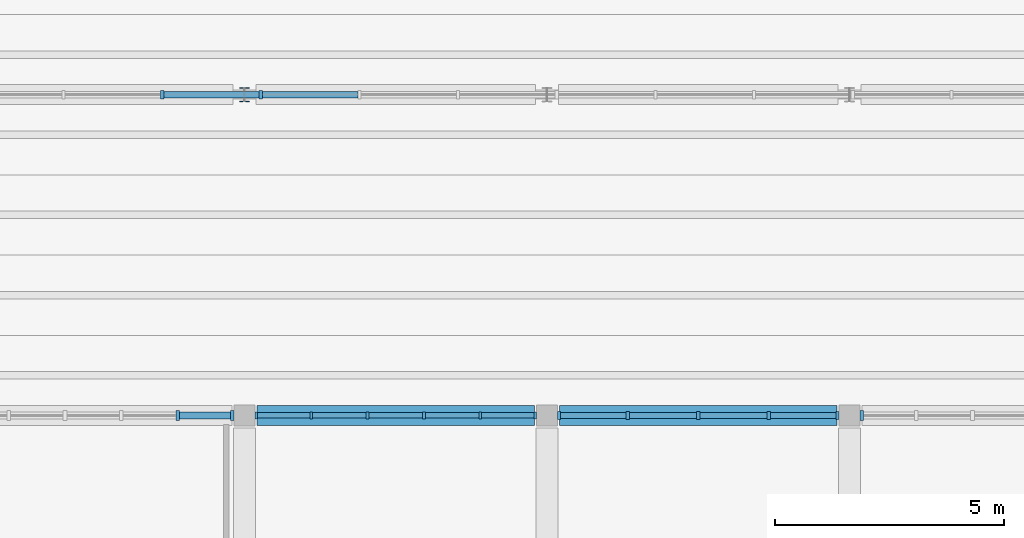
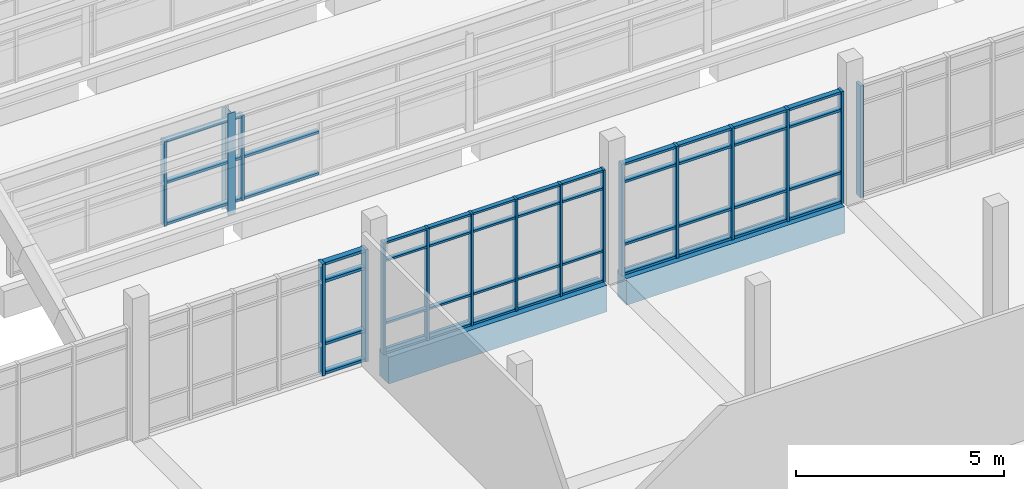
# One storey, part 13 of 92: 62 members, 2 beams, 5 elements without a shape of their own.
"""IFC4 building model written with IfcOpenShell, lengths in metres."""

from ifc_helpers import new_model, si_unit, direction, frame, origin, origin_2d, place, context, subcontext, project, spatial, rectangle, i_section, extrude, material, material_profile, profile_set, type_object, element, aggregate, save


model = new_model("IFC4")

# Units and contexts
model_context = context("Model", 3, precision=1e-05, world=origin(), true_north=direction((0.0, 1.0)))
body_context = subcontext(model_context, "Body", "Model", "MODEL_VIEW")
ifc_project = project(units=[si_unit("LENGTHUNIT", "METRE"), si_unit("AREAUNIT", "SQUARE_METRE"), si_unit("VOLUMEUNIT", "CUBIC_METRE"), si_unit("PLANEANGLEUNIT", "RADIAN"), si_unit("MASSUNIT", "GRAM", prefix="KILO")], contexts=[model_context])

# Site, building, storey
site_placement = place(None, origin())
site = spatial("IfcSite", under=ifc_project, at=site_placement, CompositionType="ELEMENT")
building_placement = place(site_placement, origin())
building = spatial("IfcBuilding", under=site, at=building_placement, Name="Ciguamira Faculty of Natural Sciences", CompositionType="ELEMENT")
storey_placement = place(building_placement, frame((0.0, 0.0, 16.800048828125)))
storey = spatial("IfcBuildingStorey", under=building, at=storey_placement, Name="L04", CompositionType="ELEMENT", Elevation=16.800048828125)

# Curtain wall, members
ifc_material_1 = material(Name="Anodized aluminium curtain wall", Category="aluminium")
curtain_wall_type_1 = type_object("IfcCurtainWallType", Name="CurtainWall_CW-07", PredefinedType="USERDEFINED", material=ifc_material_1)
curtain_wall_1_placement = place(storey_placement, origin())
curtain_wall_1 = element("IfcCurtainWall", 1, at=curtain_wall_1_placement, inside=storey, type_object=curtain_wall_type_1, Name="L04 unitised curtain wall 0115", ObjectType="UNITISED CURTAIN WALL", PredefinedType="USERDEFINED")
ifc_material_2 = material(Name="Anodized aluminium mullion", Category="aluminium")
ifc_material_profile_1 = material_profile(ifc_material_2, rectangle(XDim=0.06005859375, YDim=0.159912109375, at=origin_2d()), Name="ALU-MUL-60X160")
ifc_profile_set_1 = profile_set([ifc_material_profile_1], Name="Anodized aluminium mullion")
member_type_1 = type_object("IfcMemberType", Name="CWMullion_CWM-01", PredefinedType="MULLION", material=ifc_profile_set_1)
member_1_placement = place(storey_placement, frame((70.7548828125, 38.0, 0.0), z_axis=(0.0, 0.0, 1.0), x_axis=(1.0, 0.0, 0.0)))
member_1 = element("IfcMember", 2, at=member_1_placement, type_object=member_type_1, Name="CW-07 mullion 1", PredefinedType="MULLION", context=body_context, shape_type="SweptSolid", body=[
    extrude(rectangle(XDim=0.06005859375, YDim=0.159912109375, at=origin_2d()), origin(), (0.0, 0.0, 1.0), 3.284912109375),
])
member_2_placement = place(storey_placement, frame((71.955078125, 38.0, 0.0), z_axis=(0.0, 0.0, 1.0), x_axis=(1.0, 0.0, 0.0)))
member_2 = element("IfcMember", 3, at=member_2_placement, type_object=member_type_1, Name="CW-07 mullion 2", PredefinedType="MULLION", context=body_context, shape_type="SweptSolid", body=[
    extrude(rectangle(XDim=0.06005859375, YDim=0.159912109375, at=origin_2d()), origin(), (0.0, 0.0, 1.0), 3.284912109375),
])
member_3_placement = place(storey_placement, frame((73.18505859375, 38.0, 0.0), z_axis=(0.0, 0.0, 1.0), x_axis=(1.0, 0.0, 0.0)))
member_3 = element("IfcMember", 4, at=member_3_placement, type_object=member_type_1, Name="CW-07 mullion 3", PredefinedType="MULLION", context=body_context, shape_type="SweptSolid", body=[
    extrude(rectangle(XDim=0.06005859375, YDim=0.159912109375, at=origin_2d()), origin(), (0.0, 0.0, 1.0), 3.284912109375),
])
member_4_placement = place(storey_placement, frame((74.4150390625, 38.0, 0.0), z_axis=(0.0, 0.0, 1.0), x_axis=(1.0, 0.0, 0.0)))
member_4 = element("IfcMember", 5, at=member_4_placement, type_object=member_type_1, Name="CW-07 mullion 4", PredefinedType="MULLION", context=body_context, shape_type="SweptSolid", body=[
    extrude(rectangle(XDim=0.06005859375, YDim=0.159912109375, at=origin_2d()), origin(), (0.0, 0.0, 1.0), 3.284912109375),
])
member_5_placement = place(storey_placement, frame((75.64501953125, 38.0, 0.0), z_axis=(0.0, 0.0, 1.0), x_axis=(1.0, 0.0, 0.0)))
member_5 = element("IfcMember", 6, at=member_5_placement, type_object=member_type_1, Name="CW-07 mullion 5", PredefinedType="MULLION", context=body_context, shape_type="SweptSolid", body=[
    extrude(rectangle(XDim=0.06005859375, YDim=0.159912109375, at=origin_2d()), origin(), (0.0, 0.0, 1.0), 3.284912109375),
])
member_6_placement = place(storey_placement, frame((76.844970703125, 38.0, 0.0), z_axis=(0.0, 0.0, 1.0), x_axis=(1.0, 0.0, 0.0)))
member_6 = element("IfcMember", 7, at=member_6_placement, type_object=member_type_1, Name="CW-07 mullion 6", PredefinedType="MULLION", context=body_context, shape_type="SweptSolid", body=[
    extrude(rectangle(XDim=0.06005859375, YDim=0.159912109375, at=origin_2d()), origin(), (0.0, 0.0, 1.0), 3.284912109375),
])

curtain_wall_type_2 = type_object("IfcCurtainWallType", Name="CurtainWall_CW-08", PredefinedType="USERDEFINED", material=ifc_material_1)
curtain_wall_2_placement = place(storey_placement, origin())
curtain_wall_2 = element("IfcCurtainWall", 8, at=curtain_wall_2_placement, inside=storey, type_object=curtain_wall_type_2, Name="L04 unitised curtain wall 0116", ObjectType="UNITISED CURTAIN WALL", PredefinedType="USERDEFINED")
ifc_material_profile_2 = material_profile(ifc_material_2, rectangle(XDim=0.070068359375, YDim=0.179931640625, at=origin_2d()), Name="ALU-MUL-70X180")
ifc_profile_set_2 = profile_set([ifc_material_profile_2], Name="Anodized aluminium mullion")
member_type_2 = type_object("IfcMemberType", Name="CWMullion_CWM-02", PredefinedType="MULLION", material=ifc_profile_set_2)
member_7_placement = place(storey_placement, frame((77.360107421875, 38.0, 0.0), z_axis=(0.0, 0.0, 1.0), x_axis=(1.0, 0.0, 0.0)))
member_7 = element("IfcMember", 9, at=member_7_placement, type_object=member_type_2, Name="CW-08 mullion 1", PredefinedType="MULLION", context=body_context, shape_type="SweptSolid", body=[
    extrude(rectangle(XDim=0.070068359375, YDim=0.179931640625, at=origin_2d()), origin(), (0.0, 0.0, 1.0), 3.284912109375),
])
member_8_placement = place(storey_placement, frame((78.862548828125, 38.0, 0.0), z_axis=(0.0, 0.0, 1.0), x_axis=(1.0, 0.0, 0.0)))
member_8 = element("IfcMember", 10, at=member_8_placement, type_object=member_type_2, Name="CW-08 mullion 2", PredefinedType="MULLION", context=body_context, shape_type="SweptSolid", body=[
    extrude(rectangle(XDim=0.070068359375, YDim=0.179931640625, at=origin_2d()), origin(), (0.0, 0.0, 1.0), 3.284912109375),
])
member_9_placement = place(storey_placement, frame((80.39990234375, 38.0, 0.0), z_axis=(0.0, 0.0, 1.0), x_axis=(1.0, 0.0, 0.0)))
member_9 = element("IfcMember", 11, at=member_9_placement, type_object=member_type_2, Name="CW-08 mullion 3", PredefinedType="MULLION", context=body_context, shape_type="SweptSolid", body=[
    extrude(rectangle(XDim=0.070068359375, YDim=0.179931640625, at=origin_2d()), origin(), (0.0, 0.0, 1.0), 3.284912109375),
])
member_10_placement = place(storey_placement, frame((81.9375, 38.0, 0.0), z_axis=(0.0, 0.0, 1.0), x_axis=(1.0, 0.0, 0.0)))
member_10 = element("IfcMember", 12, at=member_10_placement, type_object=member_type_2, Name="CW-08 mullion 4", PredefinedType="MULLION", context=body_context, shape_type="SweptSolid", body=[
    extrude(rectangle(XDim=0.070068359375, YDim=0.179931640625, at=origin_2d()), origin(), (0.0, 0.0, 1.0), 3.284912109375),
])
member_11_placement = place(storey_placement, frame((83.43994140625, 38.0, 0.0), z_axis=(0.0, 0.0, 1.0), x_axis=(1.0, 0.0, 0.0)))
member_11 = element("IfcMember", 13, at=member_11_placement, type_object=member_type_2, Name="CW-08 mullion 5", PredefinedType="MULLION", context=body_context, shape_type="SweptSolid", body=[
    extrude(rectangle(XDim=0.070068359375, YDim=0.179931640625, at=origin_2d()), origin(), (0.0, 0.0, 1.0), 3.284912109375),
])

curtain_wall_type_3 = type_object("IfcCurtainWallType", Name="CurtainWall_CW-02", PredefinedType="USERDEFINED", material=ifc_material_1)
curtain_wall_3_placement = place(storey_placement, origin())
curtain_wall_3 = element("IfcCurtainWall", 14, at=curtain_wall_3_placement, inside=storey, type_object=curtain_wall_type_3, Name="V4 north-light wave 1 clerestory glazing 1", ObjectType="UNITISED CURTAIN WALL", PredefinedType="USERDEFINED")
member_12_placement = place(storey_placement, frame((68.704833984375, 45.0, 0.25), z_axis=(0.0, 0.0, 1.0), x_axis=(1.0, 0.0, 0.0)))
member_12 = element("IfcMember", 15, at=member_12_placement, type_object=member_type_2, Name="CW-02 mullion 3", PredefinedType="MULLION", context=body_context, shape_type="SweptSolid", body=[
    extrude(rectangle(XDim=0.070068359375, YDim=0.179931640625, at=origin_2d()), origin(), (0.0, 0.0, 1.0), 2.5),
])
member_13_placement = place(storey_placement, frame((70.857177734375, 45.0, 0.25), z_axis=(0.0, 0.0, 1.0), x_axis=(1.0, 0.0, 0.0)))
member_13 = element("IfcMember", 16, at=member_13_placement, type_object=member_type_2, Name="CW-02 mullion 4", PredefinedType="MULLION", context=body_context, shape_type="SweptSolid", body=[
    extrude(rectangle(XDim=0.070068359375, YDim=0.179931640625, at=origin_2d()), origin(), (0.0, 0.0, 1.0), 2.5),
])

curtain_wall_type_4 = type_object("IfcCurtainWallType", Name="CurtainWall_CW-06", PredefinedType="USERDEFINED", material=ifc_material_1)
curtain_wall_4_placement = place(storey_placement, origin())
curtain_wall_4 = element("IfcCurtainWall", 17, at=curtain_wall_4_placement, inside=storey, type_object=curtain_wall_type_4, Name="L04 unitised curtain wall 0114", ObjectType="UNITISED CURTAIN WALL", PredefinedType="USERDEFINED")
ifc_material_profile_3 = material_profile(ifc_material_2, rectangle(XDim=0.080078125, YDim=0.219970703125, at=origin_2d()), Name="ALU-MUL-80X220")
ifc_profile_set_3 = profile_set([ifc_material_profile_3], Name="Anodized aluminium mullion")
member_type_3 = type_object("IfcMemberType", Name="CWMullion_CWM-03", PredefinedType="MULLION", material=ifc_profile_set_3)
member_14_placement = place(storey_placement, frame((69.044921875, 38.0, 0.0), z_axis=(0.0, 0.0, 1.0), x_axis=(1.0, 0.0, 0.0)))
member_14 = element("IfcMember", 18, at=member_14_placement, type_object=member_type_3, Name="CW-06 mullion 5", PredefinedType="MULLION", context=body_context, shape_type="SweptSolid", body=[
    extrude(rectangle(XDim=0.080078125, YDim=0.219970703125, at=origin_2d()), origin(), (0.0, 0.0, 1.0), 3.284912109375),
])
member_15_placement = place(storey_placement, frame((70.235107421875, 38.0, 0.0), z_axis=(0.0, 0.0, 1.0), x_axis=(1.0, 0.0, 0.0)))
member_15 = element("IfcMember", 19, at=member_15_placement, type_object=member_type_3, Name="CW-06 mullion 6", PredefinedType="MULLION", context=body_context, shape_type="SweptSolid", body=[
    extrude(rectangle(XDim=0.080078125, YDim=0.219970703125, at=origin_2d()), origin(), (0.0, 0.0, 1.0), 3.284912109375),
])

# Curtain wall, member
curtain_wall_type_5 = type_object("IfcCurtainWallType", Name="CurtainWall_CW-09", PredefinedType="USERDEFINED", material=ifc_material_1)
curtain_wall_5_placement = place(storey_placement, origin())
curtain_wall_5 = element("IfcCurtainWall", 20, at=curtain_wall_5_placement, inside=storey, type_object=curtain_wall_type_5, Name="L04 unitised curtain wall 0117", ObjectType="UNITISED CURTAIN WALL", PredefinedType="USERDEFINED")
member_16_placement = place(storey_placement, frame((83.965087890625, 38.0, 0.0), z_axis=(0.0, 0.0, 1.0), x_axis=(1.0, 0.0, 0.0)))
member_16 = element("IfcMember", 21, at=member_16_placement, type_object=member_type_3, Name="CW-09 mullion 1", PredefinedType="MULLION", context=body_context, shape_type="SweptSolid", body=[
    extrude(rectangle(XDim=0.080078125, YDim=0.219970703125, at=origin_2d()), origin(), (0.0, 0.0, 1.0), 3.284912109375),
])
aggregate(curtain_wall_5, [member_16])

# Member
ifc_material_3 = material(Name="Anodized aluminium transom", Category="aluminium")
ifc_material_profile_4 = material_profile(ifc_material_3, rectangle(XDim=0.06005859375, YDim=0.1201171875, at=origin_2d()), Name="ALU-TRN-60X120")
ifc_profile_set_4 = profile_set([ifc_material_profile_4], Name="Anodized aluminium transom")
member_type_4 = type_object("IfcMemberType", Name="CWTransom_CWT-01", PredefinedType="USERDEFINED", material=ifc_profile_set_4)
member_17_placement = place(storey_placement, frame((70.784912109375, 38.0, 0.030029296875), z_axis=(1.0, 0.0, 0.0), x_axis=(0.0, 0.0, 1.0)))
member_17 = element("IfcMember", 22, at=member_17_placement, type_object=member_type_4, Name="CW-07 transom 1.1", ObjectType="TRANSOM", PredefinedType="USERDEFINED", context=body_context, shape_type="SweptSolid", body=[
    extrude(rectangle(XDim=0.06005859375, YDim=0.1201171875, at=origin_2d()), origin(), (0.0, 0.0, 1.0), 1.14013671875),
])

member_18_placement = place(storey_placement, frame((70.784912109375, 38.0, 0.89990234375), z_axis=(1.0, 0.0, 0.0), x_axis=(0.0, 0.0, 1.0)))
member_18 = element("IfcMember", 23, at=member_18_placement, type_object=member_type_4, Name="CW-07 transom 1.2", ObjectType="TRANSOM", PredefinedType="USERDEFINED", context=body_context, shape_type="SweptSolid", body=[
    extrude(rectangle(XDim=0.06005859375, YDim=0.1201171875, at=origin_2d()), origin(), (0.0, 0.0, 1.0), 1.14013671875),
])

member_19_placement = place(storey_placement, frame((70.784912109375, 38.0, 2.73486328125), z_axis=(1.0, 0.0, 0.0), x_axis=(0.0, 0.0, 1.0)))
member_19 = element("IfcMember", 24, at=member_19_placement, type_object=member_type_4, Name="CW-07 transom 1.3", ObjectType="TRANSOM", PredefinedType="USERDEFINED", context=body_context, shape_type="SweptSolid", body=[
    extrude(rectangle(XDim=0.06005859375, YDim=0.1201171875, at=origin_2d()), origin(), (0.0, 0.0, 1.0), 1.14013671875),
])

member_20_placement = place(storey_placement, frame((70.784912109375, 38.0, 3.2548828125), z_axis=(1.0, 0.0, 0.0), x_axis=(0.0, 0.0, 1.0)))
member_20 = element("IfcMember", 25, at=member_20_placement, type_object=member_type_4, Name="CW-07 transom 1.4", ObjectType="TRANSOM", PredefinedType="USERDEFINED", context=body_context, shape_type="SweptSolid", body=[
    extrude(rectangle(XDim=0.06005859375, YDim=0.1201171875, at=origin_2d()), origin(), (0.0, 0.0, 1.0), 1.14013671875),
])

member_21_placement = place(storey_placement, frame((71.985107421875, 38.0, 0.030029296875), z_axis=(1.0, 0.0, 0.0), x_axis=(0.0, 0.0, 1.0)))
member_21 = element("IfcMember", 26, at=member_21_placement, type_object=member_type_4, Name="CW-07 transom 2.1", ObjectType="TRANSOM", PredefinedType="USERDEFINED", context=body_context, shape_type="SweptSolid", body=[
    extrude(rectangle(XDim=0.06005859375, YDim=0.1201171875, at=origin_2d()), origin(), (0.0, 0.0, 1.0), 1.169921875),
])

member_22_placement = place(storey_placement, frame((71.985107421875, 38.0, 0.89990234375), z_axis=(1.0, 0.0, 0.0), x_axis=(0.0, 0.0, 1.0)))
member_22 = element("IfcMember", 27, at=member_22_placement, type_object=member_type_4, Name="CW-07 transom 2.2", ObjectType="TRANSOM", PredefinedType="USERDEFINED", context=body_context, shape_type="SweptSolid", body=[
    extrude(rectangle(XDim=0.06005859375, YDim=0.1201171875, at=origin_2d()), origin(), (0.0, 0.0, 1.0), 1.169921875),
])

member_23_placement = place(storey_placement, frame((71.985107421875, 38.0, 2.73486328125), z_axis=(1.0, 0.0, 0.0), x_axis=(0.0, 0.0, 1.0)))
member_23 = element("IfcMember", 28, at=member_23_placement, type_object=member_type_4, Name="CW-07 transom 2.3", ObjectType="TRANSOM", PredefinedType="USERDEFINED", context=body_context, shape_type="SweptSolid", body=[
    extrude(rectangle(XDim=0.06005859375, YDim=0.1201171875, at=origin_2d()), origin(), (0.0, 0.0, 1.0), 1.169921875),
])

member_24_placement = place(storey_placement, frame((71.985107421875, 38.0, 3.2548828125), z_axis=(1.0, 0.0, 0.0), x_axis=(0.0, 0.0, 1.0)))
member_24 = element("IfcMember", 29, at=member_24_placement, type_object=member_type_4, Name="CW-07 transom 2.4", ObjectType="TRANSOM", PredefinedType="USERDEFINED", context=body_context, shape_type="SweptSolid", body=[
    extrude(rectangle(XDim=0.06005859375, YDim=0.1201171875, at=origin_2d()), origin(), (0.0, 0.0, 1.0), 1.169921875),
])

member_25_placement = place(storey_placement, frame((73.215087890625, 38.0, 0.030029296875), z_axis=(1.0, 0.0, 0.0), x_axis=(0.0, 0.0, 1.0)))
member_25 = element("IfcMember", 30, at=member_25_placement, type_object=member_type_4, Name="CW-07 transom 3.1", ObjectType="TRANSOM", PredefinedType="USERDEFINED", context=body_context, shape_type="SweptSolid", body=[
    extrude(rectangle(XDim=0.06005859375, YDim=0.1201171875, at=origin_2d()), origin(), (0.0, 0.0, 1.0), 1.169921875),
])

member_26_placement = place(storey_placement, frame((73.215087890625, 38.0, 0.89990234375), z_axis=(1.0, 0.0, 0.0), x_axis=(0.0, 0.0, 1.0)))
member_26 = element("IfcMember", 31, at=member_26_placement, type_object=member_type_4, Name="CW-07 transom 3.2", ObjectType="TRANSOM", PredefinedType="USERDEFINED", context=body_context, shape_type="SweptSolid", body=[
    extrude(rectangle(XDim=0.06005859375, YDim=0.1201171875, at=origin_2d()), origin(), (0.0, 0.0, 1.0), 1.169921875),
])

member_27_placement = place(storey_placement, frame((73.215087890625, 38.0, 2.73486328125), z_axis=(1.0, 0.0, 0.0), x_axis=(0.0, 0.0, 1.0)))
member_27 = element("IfcMember", 32, at=member_27_placement, type_object=member_type_4, Name="CW-07 transom 3.3", ObjectType="TRANSOM", PredefinedType="USERDEFINED", context=body_context, shape_type="SweptSolid", body=[
    extrude(rectangle(XDim=0.06005859375, YDim=0.1201171875, at=origin_2d()), origin(), (0.0, 0.0, 1.0), 1.169921875),
])

member_28_placement = place(storey_placement, frame((73.215087890625, 38.0, 3.2548828125), z_axis=(1.0, 0.0, 0.0), x_axis=(0.0, 0.0, 1.0)))
member_28 = element("IfcMember", 33, at=member_28_placement, type_object=member_type_4, Name="CW-07 transom 3.4", ObjectType="TRANSOM", PredefinedType="USERDEFINED", context=body_context, shape_type="SweptSolid", body=[
    extrude(rectangle(XDim=0.06005859375, YDim=0.1201171875, at=origin_2d()), origin(), (0.0, 0.0, 1.0), 1.169921875),
])

member_29_placement = place(storey_placement, frame((74.445068359375, 38.0, 0.030029296875), z_axis=(1.0, 0.0, 0.0), x_axis=(0.0, 0.0, 1.0)))
member_29 = element("IfcMember", 34, at=member_29_placement, type_object=member_type_4, Name="CW-07 transom 4.1", ObjectType="TRANSOM", PredefinedType="USERDEFINED", context=body_context, shape_type="SweptSolid", body=[
    extrude(rectangle(XDim=0.06005859375, YDim=0.1201171875, at=origin_2d()), origin(), (0.0, 0.0, 1.0), 1.169921875),
])

member_30_placement = place(storey_placement, frame((74.445068359375, 38.0, 0.89990234375), z_axis=(1.0, 0.0, 0.0), x_axis=(0.0, 0.0, 1.0)))
member_30 = element("IfcMember", 35, at=member_30_placement, type_object=member_type_4, Name="CW-07 transom 4.2", ObjectType="TRANSOM", PredefinedType="USERDEFINED", context=body_context, shape_type="SweptSolid", body=[
    extrude(rectangle(XDim=0.06005859375, YDim=0.1201171875, at=origin_2d()), origin(), (0.0, 0.0, 1.0), 1.169921875),
])

member_31_placement = place(storey_placement, frame((74.445068359375, 38.0, 2.73486328125), z_axis=(1.0, 0.0, 0.0), x_axis=(0.0, 0.0, 1.0)))
member_31 = element("IfcMember", 36, at=member_31_placement, type_object=member_type_4, Name="CW-07 transom 4.3", ObjectType="TRANSOM", PredefinedType="USERDEFINED", context=body_context, shape_type="SweptSolid", body=[
    extrude(rectangle(XDim=0.06005859375, YDim=0.1201171875, at=origin_2d()), origin(), (0.0, 0.0, 1.0), 1.169921875),
])

member_32_placement = place(storey_placement, frame((74.445068359375, 38.0, 3.2548828125), z_axis=(1.0, 0.0, 0.0), x_axis=(0.0, 0.0, 1.0)))
member_32 = element("IfcMember", 37, at=member_32_placement, type_object=member_type_4, Name="CW-07 transom 4.4", ObjectType="TRANSOM", PredefinedType="USERDEFINED", context=body_context, shape_type="SweptSolid", body=[
    extrude(rectangle(XDim=0.06005859375, YDim=0.1201171875, at=origin_2d()), origin(), (0.0, 0.0, 1.0), 1.169921875),
])

member_33_placement = place(storey_placement, frame((75.675048828125, 38.0, 0.030029296875), z_axis=(1.0, 0.0, 0.0), x_axis=(0.0, 0.0, 1.0)))
member_33 = element("IfcMember", 38, at=member_33_placement, type_object=member_type_4, Name="CW-07 transom 5.1", ObjectType="TRANSOM", PredefinedType="USERDEFINED", context=body_context, shape_type="SweptSolid", body=[
    extrude(rectangle(XDim=0.06005859375, YDim=0.1201171875, at=origin_2d()), origin(), (0.0, 0.0, 1.0), 1.139892578125),
])

member_34_placement = place(storey_placement, frame((75.675048828125, 38.0, 0.89990234375), z_axis=(1.0, 0.0, 0.0), x_axis=(0.0, 0.0, 1.0)))
member_34 = element("IfcMember", 39, at=member_34_placement, type_object=member_type_4, Name="CW-07 transom 5.2", ObjectType="TRANSOM", PredefinedType="USERDEFINED", context=body_context, shape_type="SweptSolid", body=[
    extrude(rectangle(XDim=0.06005859375, YDim=0.1201171875, at=origin_2d()), origin(), (0.0, 0.0, 1.0), 1.139892578125),
])

member_35_placement = place(storey_placement, frame((75.675048828125, 38.0, 2.73486328125), z_axis=(1.0, 0.0, 0.0), x_axis=(0.0, 0.0, 1.0)))
member_35 = element("IfcMember", 40, at=member_35_placement, type_object=member_type_4, Name="CW-07 transom 5.3", ObjectType="TRANSOM", PredefinedType="USERDEFINED", context=body_context, shape_type="SweptSolid", body=[
    extrude(rectangle(XDim=0.06005859375, YDim=0.1201171875, at=origin_2d()), origin(), (0.0, 0.0, 1.0), 1.139892578125),
])

member_36_placement = place(storey_placement, frame((75.675048828125, 38.0, 3.2548828125), z_axis=(1.0, 0.0, 0.0), x_axis=(0.0, 0.0, 1.0)))
member_36 = element("IfcMember", 41, at=member_36_placement, type_object=member_type_4, Name="CW-07 transom 5.4", ObjectType="TRANSOM", PredefinedType="USERDEFINED", context=body_context, shape_type="SweptSolid", body=[
    extrude(rectangle(XDim=0.06005859375, YDim=0.1201171875, at=origin_2d()), origin(), (0.0, 0.0, 1.0), 1.139892578125),
])

aggregate(curtain_wall_1, [member_1, member_2, member_3, member_4, member_5, member_6, member_17, member_18, member_19, member_20, member_21, member_22, member_23, member_24, member_25, member_26, member_27, member_28, member_29, member_30, member_31, member_32, member_33, member_34, member_35, member_36])

ifc_material_profile_5 = material_profile(ifc_material_3, rectangle(XDim=0.070068359375, YDim=0.139892578125, at=origin_2d()), Name="ALU-TRN-70X140")
ifc_profile_set_5 = profile_set([ifc_material_profile_5], Name="Anodized aluminium transom")
member_type_5 = type_object("IfcMemberType", Name="CWTransom_CWT-02", PredefinedType="USERDEFINED", material=ifc_profile_set_5)
member_37_placement = place(storey_placement, frame((77.39501953125, 38.0, 0.034912109375), z_axis=(1.0, 0.0, 0.0), x_axis=(0.0, 0.0, 1.0)))
member_37 = element("IfcMember", 42, at=member_37_placement, type_object=member_type_5, Name="CW-08 transom 1.1", ObjectType="TRANSOM", PredefinedType="USERDEFINED", context=body_context, shape_type="SweptSolid", body=[
    extrude(rectangle(XDim=0.070068359375, YDim=0.139892578125, at=origin_2d()), origin(), (0.0, 0.0, 1.0), 1.432373046875),
])

member_38_placement = place(storey_placement, frame((77.39501953125, 38.0, 0.89990234375), z_axis=(1.0, 0.0, 0.0), x_axis=(0.0, 0.0, 1.0)))
member_38 = element("IfcMember", 43, at=member_38_placement, type_object=member_type_5, Name="CW-08 transom 1.2", ObjectType="TRANSOM", PredefinedType="USERDEFINED", context=body_context, shape_type="SweptSolid", body=[
    extrude(rectangle(XDim=0.070068359375, YDim=0.139892578125, at=origin_2d()), origin(), (0.0, 0.0, 1.0), 1.432373046875),
])

member_39_placement = place(storey_placement, frame((77.39501953125, 38.0, 2.73486328125), z_axis=(1.0, 0.0, 0.0), x_axis=(0.0, 0.0, 1.0)))
member_39 = element("IfcMember", 44, at=member_39_placement, type_object=member_type_5, Name="CW-08 transom 1.3", ObjectType="TRANSOM", PredefinedType="USERDEFINED", context=body_context, shape_type="SweptSolid", body=[
    extrude(rectangle(XDim=0.070068359375, YDim=0.139892578125, at=origin_2d()), origin(), (0.0, 0.0, 1.0), 1.432373046875),
])

member_40_placement = place(storey_placement, frame((77.39501953125, 38.0, 3.25), z_axis=(1.0, 0.0, 0.0), x_axis=(0.0, 0.0, 1.0)))
member_40 = element("IfcMember", 45, at=member_40_placement, type_object=member_type_5, Name="CW-08 transom 1.4", ObjectType="TRANSOM", PredefinedType="USERDEFINED", context=body_context, shape_type="SweptSolid", body=[
    extrude(rectangle(XDim=0.070068359375, YDim=0.139892578125, at=origin_2d()), origin(), (0.0, 0.0, 1.0), 1.432373046875),
])

member_41_placement = place(storey_placement, frame((78.8974609375, 38.0, 0.034912109375), z_axis=(1.0, 0.0, 0.0), x_axis=(0.0, 0.0, 1.0)))
member_41 = element("IfcMember", 46, at=member_41_placement, type_object=member_type_5, Name="CW-08 transom 2.1", ObjectType="TRANSOM", PredefinedType="USERDEFINED", context=body_context, shape_type="SweptSolid", body=[
    extrude(rectangle(XDim=0.070068359375, YDim=0.139892578125, at=origin_2d()), origin(), (0.0, 0.0, 1.0), 1.467529296875),
])

member_42_placement = place(storey_placement, frame((78.8974609375, 38.0, 0.89990234375), z_axis=(1.0, 0.0, 0.0), x_axis=(0.0, 0.0, 1.0)))
member_42 = element("IfcMember", 47, at=member_42_placement, type_object=member_type_5, Name="CW-08 transom 2.2", ObjectType="TRANSOM", PredefinedType="USERDEFINED", context=body_context, shape_type="SweptSolid", body=[
    extrude(rectangle(XDim=0.070068359375, YDim=0.139892578125, at=origin_2d()), origin(), (0.0, 0.0, 1.0), 1.467529296875),
])

member_43_placement = place(storey_placement, frame((78.8974609375, 38.0, 2.73486328125), z_axis=(1.0, 0.0, 0.0), x_axis=(0.0, 0.0, 1.0)))
member_43 = element("IfcMember", 48, at=member_43_placement, type_object=member_type_5, Name="CW-08 transom 2.3", ObjectType="TRANSOM", PredefinedType="USERDEFINED", context=body_context, shape_type="SweptSolid", body=[
    extrude(rectangle(XDim=0.070068359375, YDim=0.139892578125, at=origin_2d()), origin(), (0.0, 0.0, 1.0), 1.467529296875),
])

member_44_placement = place(storey_placement, frame((78.8974609375, 38.0, 3.25), z_axis=(1.0, 0.0, 0.0), x_axis=(0.0, 0.0, 1.0)))
member_44 = element("IfcMember", 49, at=member_44_placement, type_object=member_type_5, Name="CW-08 transom 2.4", ObjectType="TRANSOM", PredefinedType="USERDEFINED", context=body_context, shape_type="SweptSolid", body=[
    extrude(rectangle(XDim=0.070068359375, YDim=0.139892578125, at=origin_2d()), origin(), (0.0, 0.0, 1.0), 1.467529296875),
])

member_45_placement = place(storey_placement, frame((80.43505859375, 38.0, 0.034912109375), z_axis=(1.0, 0.0, 0.0), x_axis=(0.0, 0.0, 1.0)))
member_45 = element("IfcMember", 50, at=member_45_placement, type_object=member_type_5, Name="CW-08 transom 3.1", ObjectType="TRANSOM", PredefinedType="USERDEFINED", context=body_context, shape_type="SweptSolid", body=[
    extrude(rectangle(XDim=0.070068359375, YDim=0.139892578125, at=origin_2d()), origin(), (0.0, 0.0, 1.0), 1.467529296875),
])

member_46_placement = place(storey_placement, frame((80.43505859375, 38.0, 0.89990234375), z_axis=(1.0, 0.0, 0.0), x_axis=(0.0, 0.0, 1.0)))
member_46 = element("IfcMember", 51, at=member_46_placement, type_object=member_type_5, Name="CW-08 transom 3.2", ObjectType="TRANSOM", PredefinedType="USERDEFINED", context=body_context, shape_type="SweptSolid", body=[
    extrude(rectangle(XDim=0.070068359375, YDim=0.139892578125, at=origin_2d()), origin(), (0.0, 0.0, 1.0), 1.467529296875),
])

member_47_placement = place(storey_placement, frame((80.43505859375, 38.0, 2.73486328125), z_axis=(1.0, 0.0, 0.0), x_axis=(0.0, 0.0, 1.0)))
member_47 = element("IfcMember", 52, at=member_47_placement, type_object=member_type_5, Name="CW-08 transom 3.3", ObjectType="TRANSOM", PredefinedType="USERDEFINED", context=body_context, shape_type="SweptSolid", body=[
    extrude(rectangle(XDim=0.070068359375, YDim=0.139892578125, at=origin_2d()), origin(), (0.0, 0.0, 1.0), 1.467529296875),
])

member_48_placement = place(storey_placement, frame((80.43505859375, 38.0, 3.25), z_axis=(1.0, 0.0, 0.0), x_axis=(0.0, 0.0, 1.0)))
member_48 = element("IfcMember", 53, at=member_48_placement, type_object=member_type_5, Name="CW-08 transom 3.4", ObjectType="TRANSOM", PredefinedType="USERDEFINED", context=body_context, shape_type="SweptSolid", body=[
    extrude(rectangle(XDim=0.070068359375, YDim=0.139892578125, at=origin_2d()), origin(), (0.0, 0.0, 1.0), 1.467529296875),
])

member_49_placement = place(storey_placement, frame((81.972412109375, 38.0, 0.034912109375), z_axis=(1.0, 0.0, 0.0), x_axis=(0.0, 0.0, 1.0)))
member_49 = element("IfcMember", 54, at=member_49_placement, type_object=member_type_5, Name="CW-08 transom 4.1", ObjectType="TRANSOM", PredefinedType="USERDEFINED", context=body_context, shape_type="SweptSolid", body=[
    extrude(rectangle(XDim=0.070068359375, YDim=0.139892578125, at=origin_2d()), origin(), (0.0, 0.0, 1.0), 1.4326171875),
])

member_50_placement = place(storey_placement, frame((81.972412109375, 38.0, 0.89990234375), z_axis=(1.0, 0.0, 0.0), x_axis=(0.0, 0.0, 1.0)))
member_50 = element("IfcMember", 55, at=member_50_placement, type_object=member_type_5, Name="CW-08 transom 4.2", ObjectType="TRANSOM", PredefinedType="USERDEFINED", context=body_context, shape_type="SweptSolid", body=[
    extrude(rectangle(XDim=0.070068359375, YDim=0.139892578125, at=origin_2d()), origin(), (0.0, 0.0, 1.0), 1.4326171875),
])

member_51_placement = place(storey_placement, frame((81.972412109375, 38.0, 2.73486328125), z_axis=(1.0, 0.0, 0.0), x_axis=(0.0, 0.0, 1.0)))
member_51 = element("IfcMember", 56, at=member_51_placement, type_object=member_type_5, Name="CW-08 transom 4.3", ObjectType="TRANSOM", PredefinedType="USERDEFINED", context=body_context, shape_type="SweptSolid", body=[
    extrude(rectangle(XDim=0.070068359375, YDim=0.139892578125, at=origin_2d()), origin(), (0.0, 0.0, 1.0), 1.4326171875),
])

member_52_placement = place(storey_placement, frame((81.972412109375, 38.0, 3.25), z_axis=(1.0, 0.0, 0.0), x_axis=(0.0, 0.0, 1.0)))
member_52 = element("IfcMember", 57, at=member_52_placement, type_object=member_type_5, Name="CW-08 transom 4.4", ObjectType="TRANSOM", PredefinedType="USERDEFINED", context=body_context, shape_type="SweptSolid", body=[
    extrude(rectangle(XDim=0.070068359375, YDim=0.139892578125, at=origin_2d()), origin(), (0.0, 0.0, 1.0), 1.4326171875),
])

aggregate(curtain_wall_2, [member_7, member_8, member_9, member_10, member_11, member_37, member_38, member_39, member_40, member_41, member_42, member_43, member_44, member_45, member_46, member_47, member_48, member_49, member_50, member_51, member_52])

member_53_placement = place(storey_placement, frame((68.73974609375, 45.0, 0.284912109375), z_axis=(1.0, 0.0, 0.0), x_axis=(0.0, 0.0, 1.0)))
member_53 = element("IfcMember", 58, at=member_53_placement, type_object=member_type_5, Name="CW-02 transom 3.1", ObjectType="TRANSOM", PredefinedType="USERDEFINED", context=body_context, shape_type="SweptSolid", body=[
    extrude(rectangle(XDim=0.070068359375, YDim=0.139892578125, at=origin_2d()), origin(), (0.0, 0.0, 1.0), 2.082275390625),
])

member_54_placement = place(storey_placement, frame((68.73974609375, 45.0, 1.5), z_axis=(1.0, 0.0, 0.0), x_axis=(0.0, 0.0, 1.0)))
member_54 = element("IfcMember", 59, at=member_54_placement, type_object=member_type_5, Name="CW-02 transom 3.2", ObjectType="TRANSOM", PredefinedType="USERDEFINED", context=body_context, shape_type="SweptSolid", body=[
    extrude(rectangle(XDim=0.070068359375, YDim=0.139892578125, at=origin_2d()), origin(), (0.0, 0.0, 1.0), 2.082275390625),
])

member_55_placement = place(storey_placement, frame((68.73974609375, 45.0, 2.71484375), z_axis=(1.0, 0.0, 0.0), x_axis=(0.0, 0.0, 1.0)))
member_55 = element("IfcMember", 60, at=member_55_placement, type_object=member_type_5, Name="CW-02 transom 3.3", ObjectType="TRANSOM", PredefinedType="USERDEFINED", context=body_context, shape_type="SweptSolid", body=[
    extrude(rectangle(XDim=0.070068359375, YDim=0.139892578125, at=origin_2d()), origin(), (0.0, 0.0, 1.0), 2.082275390625),
])

member_56_placement = place(storey_placement, frame((70.89208984375, 45.0, 0.284912109375), z_axis=(1.0, 0.0, 0.0), x_axis=(0.0, 0.0, 1.0)))
member_56 = element("IfcMember", 61, at=member_56_placement, type_object=member_type_5, Name="CW-02 transom 4.1", ObjectType="TRANSOM", PredefinedType="USERDEFINED", context=body_context, shape_type="SweptSolid", body=[
    extrude(rectangle(XDim=0.070068359375, YDim=0.139892578125, at=origin_2d()), origin(), (0.0, 0.0, 1.0), 2.08251953125),
])

member_57_placement = place(storey_placement, frame((70.89208984375, 45.0, 1.5), z_axis=(1.0, 0.0, 0.0), x_axis=(0.0, 0.0, 1.0)))
member_57 = element("IfcMember", 62, at=member_57_placement, type_object=member_type_5, Name="CW-02 transom 4.2", ObjectType="TRANSOM", PredefinedType="USERDEFINED", context=body_context, shape_type="SweptSolid", body=[
    extrude(rectangle(XDim=0.070068359375, YDim=0.139892578125, at=origin_2d()), origin(), (0.0, 0.0, 1.0), 2.08251953125),
])

aggregate(curtain_wall_3, [member_12, member_13, member_53, member_54, member_55, member_56, member_57])

ifc_material_profile_6 = material_profile(ifc_material_3, rectangle(XDim=0.080078125, YDim=0.159912109375, at=origin_2d()), Name="ALU-TRN-80X160")
ifc_profile_set_6 = profile_set([ifc_material_profile_6], Name="Anodized aluminium transom")
member_type_6 = type_object("IfcMemberType", Name="CWTransom_CWT-03", PredefinedType="USERDEFINED", material=ifc_profile_set_6)
member_58_placement = place(storey_placement, frame((69.0849609375, 38.0, 0.0400390625), z_axis=(1.0, 0.0, 0.0), x_axis=(0.0, 0.0, 1.0)))
member_58 = element("IfcMember", 63, at=member_58_placement, type_object=member_type_6, Name="CW-06 transom 5.1", ObjectType="TRANSOM", PredefinedType="USERDEFINED", context=body_context, shape_type="SweptSolid", body=[
    extrude(rectangle(XDim=0.080078125, YDim=0.159912109375, at=origin_2d()), origin(), (0.0, 0.0, 1.0), 1.110107421875),
])

member_59_placement = place(storey_placement, frame((69.0849609375, 38.0, 0.89990234375), z_axis=(1.0, 0.0, 0.0), x_axis=(0.0, 0.0, 1.0)))
member_59 = element("IfcMember", 64, at=member_59_placement, type_object=member_type_6, Name="CW-06 transom 5.2", ObjectType="TRANSOM", PredefinedType="USERDEFINED", context=body_context, shape_type="SweptSolid", body=[
    extrude(rectangle(XDim=0.080078125, YDim=0.159912109375, at=origin_2d()), origin(), (0.0, 0.0, 1.0), 1.110107421875),
])

member_60_placement = place(storey_placement, frame((69.0849609375, 38.0, 2.73486328125), z_axis=(1.0, 0.0, 0.0), x_axis=(0.0, 0.0, 1.0)))
member_60 = element("IfcMember", 65, at=member_60_placement, type_object=member_type_6, Name="CW-06 transom 5.3", ObjectType="TRANSOM", PredefinedType="USERDEFINED", context=body_context, shape_type="SweptSolid", body=[
    extrude(rectangle(XDim=0.080078125, YDim=0.159912109375, at=origin_2d()), origin(), (0.0, 0.0, 1.0), 1.110107421875),
])

member_61_placement = place(storey_placement, frame((69.0849609375, 38.0, 3.244873046875), z_axis=(1.0, 0.0, 0.0), x_axis=(0.0, 0.0, 1.0)))
member_61 = element("IfcMember", 66, at=member_61_placement, type_object=member_type_6, Name="CW-06 transom 5.4", ObjectType="TRANSOM", PredefinedType="USERDEFINED", context=body_context, shape_type="SweptSolid", body=[
    extrude(rectangle(XDim=0.080078125, YDim=0.159912109375, at=origin_2d()), origin(), (0.0, 0.0, 1.0), 1.110107421875),
])

aggregate(curtain_wall_4, [member_14, member_15, member_58, member_59, member_60, member_61])

# Beams
ifc_material_4 = material(Name="Concrete C40/50", Category="concrete")
ifc_material_profile_7 = material_profile(ifc_material_4, rectangle(XDim=0.43994140625, YDim=0.780029296875, at=origin_2d()), Name="RC-BM-440X780")
ifc_profile_set_7 = profile_set([ifc_material_profile_7], Name="Concrete C40/50")
beam_type = type_object("IfcBeamType", Name="RCBeam_BG-06_RC-BM-440X780", PredefinedType="BEAM", material=ifc_profile_set_7)
for number, where, z_axis, x_axis, name in (
    (67, (70.77490234375, 38.0, -0.39013671875), (1.0, 0.0, 0.0), (0.0, 1.0, 0.0), "V4 north-light wave 1 RC valley beam VAL-1-2"),
    (68, (77.375, 38.0, -0.39013671875), (1.0, 0.0, 0.0), (0.0, 1.0, 0.0), "V4 north-light wave 1 RC valley beam VAL-1-3"),
):
    element("IfcBeam", number, at=place(storey_placement, frame(where, z_axis=z_axis, x_axis=x_axis)), inside=storey, type_object=beam_type, Name=name, PredefinedType="BEAM", context=body_context, shape_type="SweptSolid", body=[
        extrude(rectangle(XDim=0.43994140625, YDim=0.780029296875, at=origin_2d()), origin(), (0.0, 0.0, 1.0), 6.050048828125),
    ])

# Member
ifc_material_5 = material(Name="Steel ASTM A992 Grade 50", Category="steel")
ifc_material_profile_8 = material_profile(ifc_material_5, i_section(OverallWidth=0.20458984375, OverallDepth=0.307373046875, WebThickness=0.008544921875, FlangeThickness=0.0146484375, at=origin_2d()), Name="W12X45")
ifc_profile_set_8 = profile_set([ifc_material_profile_8], Name="Steel ASTM A992 Grade 50")
member_type_7 = type_object("IfcMemberType", Name="SteelMember_TS-01_W12X45", PredefinedType="STRUT", material=ifc_profile_set_8)
member_62_placement = place(storey_placement, frame((70.5, 45.0, 0.0), z_axis=(0.0, 0.0, 1.0), x_axis=(1.0, 0.0, 0.0)))
element("IfcMember", 69, at=member_62_placement, inside=storey, type_object=member_type_7, Name="V4 north-light wave 1 clerestory post 70", PredefinedType="STRUT", context=body_context, shape_type="SweptSolid", body=[
    extrude(i_section(OverallWidth=0.20458984375, OverallDepth=0.307373046875, WebThickness=0.008544921875, FlangeThickness=0.0146484375, at=origin_2d()), origin(), (0.0, 0.0, 1.0), 2.986328125),
])

save(model, "model.ifc")
